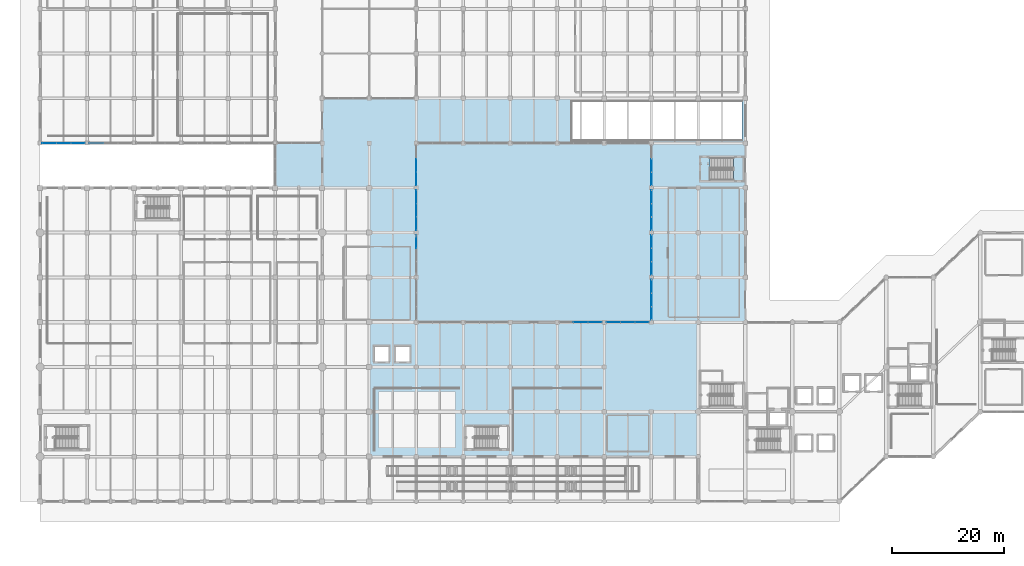
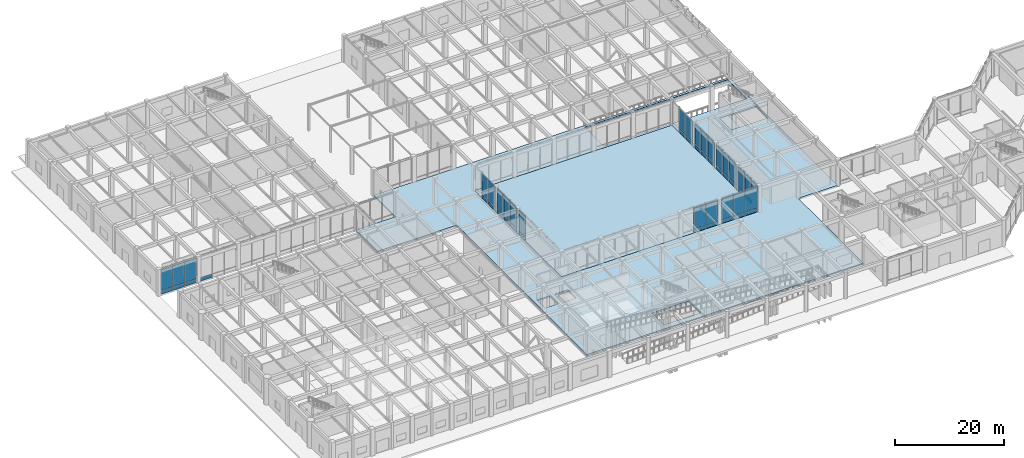
# One storey, part 44 of 76: 51 plates, 4 slabs, 12 elements without a shape of their own.
"""IFC4 building model written with IfcOpenShell, lengths in metres."""

from ifc_helpers import new_model, si_unit, direction, frame, origin, origin_2d, place, context, subcontext, project, spatial, polyline, rectangle, outline, extrude, material, layer, layer_set, type_object, element, aggregate, save


model = new_model("IFC4")

# Units and contexts
model_context = context("Model", 3, precision=1e-05, world=origin(), true_north=direction((0.0, 1.0)))
body_context = subcontext(model_context, "Body", "Model", "MODEL_VIEW")
ifc_project = project(units=[si_unit("LENGTHUNIT", "METRE"), si_unit("AREAUNIT", "SQUARE_METRE"), si_unit("VOLUMEUNIT", "CUBIC_METRE"), si_unit("PLANEANGLEUNIT", "RADIAN"), si_unit("MASSUNIT", "GRAM", prefix="KILO")], contexts=[model_context])

# Site, building, storey
site_placement = place(None, origin())
site = spatial("IfcSite", under=ifc_project, at=site_placement, CompositionType="ELEMENT")
building_placement = place(site_placement, origin())
building = spatial("IfcBuilding", under=site, at=building_placement, Name="Naruveol Harbour Congress Hotel", CompositionType="ELEMENT")
storey_placement = place(building_placement, origin())
storey = spatial("IfcBuildingStorey", under=building, at=storey_placement, Name="L00", CompositionType="ELEMENT", Elevation=0.0)

# Curtain wall, plate
ifc_material_1 = material(Name="Low-E Curtain Wall System", Category="glass")
ifc_layer_1 = layer(ifc_material_1, 0.179931640625)
ifc_layer_set_1 = layer_set([ifc_layer_1], Name="Low-E Curtain Wall System")
curtain_wall_type_1 = type_object("IfcCurtainWallType", Name="UNITISED CURTAIN WALL CW-V3S-12 7650X5700", PredefinedType="USERDEFINED", material=ifc_layer_set_1)
curtain_wall_1_placement = place(storey_placement, origin())
curtain_wall_1 = element("IfcCurtainWall", 1, at=curtain_wall_1_placement, inside=storey, type_object=curtain_wall_type_1, Name="Unitised curtain wall CW-V3S-12 L00", ObjectType="UNITISED GLAZING", PredefinedType="USERDEFINED")
ifc_material_2 = material(Name="Anodised Aluminium Spandrel", Category="aluminium")
ifc_layer_2 = layer(ifc_material_2, 0.054931640625)
ifc_layer_set_2 = layer_set([ifc_layer_2], Name="Anodised Aluminium Spandrel")
plate_type_1 = type_object("IfcPlateType", Name="INSULATED CERAMIC SPANDREL PANEL 55", PredefinedType="CURTAIN_PANEL", material=ifc_layer_set_2)
plate_1_placement = place(storey_placement, frame((10.050048828125, 63.989990234375, 0.0400390625), z_axis=(0.0, 0.0, 1.0), x_axis=(-1.0, 0.0, 0.0)))
plate_1 = element("IfcPlate", 2, at=plate_1_placement, type_object=plate_type_1, Name="Curtain wall spandrel panel CW-L00-0016-PS2", PredefinedType="CURTAIN_PANEL", context=body_context, shape_type="SweptSolid", body=[
    extrude(rectangle(XDim=2.469970703125, YDim=0.054931640625, at=origin_2d()), origin(), (0.0, 0.0, 1.0), 0.77001953125),
])
aggregate(curtain_wall_1, [plate_1])

# Curtain wall, plates
curtain_wall_2_placement = place(storey_placement, origin())
curtain_wall_2 = element("IfcCurtainWall", 3, at=curtain_wall_2_placement, inside=storey, type_object=curtain_wall_type_1, Name="Unitised curtain wall CW-V3S-12 L00", ObjectType="UNITISED GLAZING", PredefinedType="USERDEFINED")
plate_2_placement = place(storey_placement, frame((6.75, 63.989990234375, 0.0400390625), z_axis=(0.0, 0.0, 1.0), x_axis=(-1.0, 0.0, 0.0)))
plate_2 = element("IfcPlate", 4, at=plate_2_placement, type_object=plate_type_1, Name="Curtain wall spandrel panel CW-L00-0017-PS0", PredefinedType="CURTAIN_PANEL", context=body_context, shape_type="SweptSolid", body=[
    extrude(rectangle(XDim=2.469970703125, YDim=0.054931640625, at=origin_2d()), origin(), (0.0, 0.0, 1.0), 0.77001953125),
])
plate_3_placement = place(storey_placement, frame((4.199951171875, 63.989990234375, 0.0400390625), z_axis=(0.0, 0.0, 1.0), x_axis=(-1.0, 0.0, 0.0)))
plate_3 = element("IfcPlate", 5, at=plate_3_placement, type_object=plate_type_1, Name="Curtain wall spandrel panel CW-L00-0017-PS1", PredefinedType="CURTAIN_PANEL", context=body_context, shape_type="SweptSolid", body=[
    extrude(rectangle(XDim=2.469970703125, YDim=0.054931640625, at=origin_2d()), origin(), (0.0, 0.0, 1.0), 0.77001953125),
])
plate_4_placement = place(storey_placement, frame((1.64990234375, 63.989990234375, 0.0400390625), z_axis=(0.0, 0.0, 1.0), x_axis=(-1.0, 0.0, 0.0)))
plate_4 = element("IfcPlate", 6, at=plate_4_placement, type_object=plate_type_1, Name="Curtain wall spandrel panel CW-L00-0017-PS2", PredefinedType="CURTAIN_PANEL", context=body_context, shape_type="SweptSolid", body=[
    extrude(rectangle(XDim=2.469970703125, YDim=0.054931640625, at=origin_2d()), origin(), (0.0, 0.0, 1.0), 0.77001953125),
])

ifc_material_3 = material(Name="Low-E Curtain Wall System", Category="glass")
ifc_layer_3 = layer(ifc_material_3, 0.179931640625)
ifc_layer_set_3 = layer_set([ifc_layer_3], Name="Low-E Curtain Wall System")
curtain_wall_type_2 = type_object("IfcCurtainWallType", Name="UNITISED CURTAIN WALL CW-CTS-27 7600X5700", PredefinedType="USERDEFINED", material=ifc_layer_set_3)
curtain_wall_3_placement = place(storey_placement, origin())
curtain_wall_3 = element("IfcCurtainWall", 7, at=curtain_wall_3_placement, inside=storey, type_object=curtain_wall_type_2, Name="Unitised curtain wall CW-CTS-27 L00", ObjectType="UNITISED GLAZING", PredefinedType="USERDEFINED")
plate_5_placement = place(storey_placement, frame((96.60009765625, 32.010009765625, 0.0400390625), z_axis=(0.0, 0.0, 1.0), x_axis=(1.0, 0.0, 0.0)))
plate_5 = element("IfcPlate", 8, at=plate_5_placement, type_object=plate_type_1, Name="Curtain wall spandrel panel CW-L00-0060-PS1", PredefinedType="CURTAIN_PANEL", context=body_context, shape_type="SweptSolid", body=[
    extrude(rectangle(XDim=2.452880859375, YDim=0.054931640625, at=origin_2d()), origin(), (0.0, 0.0, 1.0), 0.77001953125),
])
plate_6_placement = place(storey_placement, frame((99.13330078125, 32.010009765625, 0.0400390625), z_axis=(0.0, 0.0, 1.0), x_axis=(1.0, 0.0, 0.0)))
plate_6 = element("IfcPlate", 9, at=plate_6_placement, type_object=plate_type_1, Name="Curtain wall spandrel panel CW-L00-0060-PS2", PredefinedType="CURTAIN_PANEL", context=body_context, shape_type="SweptSolid", body=[
    extrude(rectangle(XDim=2.452880859375, YDim=0.054931640625, at=origin_2d()), origin(), (0.0, 0.0, 1.0), 0.77001953125),
])

curtain_wall_4_placement = place(storey_placement, origin())
curtain_wall_4 = element("IfcCurtainWall", 10, at=curtain_wall_4_placement, inside=storey, type_object=curtain_wall_type_2, Name="Unitised curtain wall CW-CTS-27 L00", ObjectType="UNITISED GLAZING", PredefinedType="USERDEFINED")
plate_7_placement = place(storey_placement, frame((102.466796875, 32.010009765625, 0.0400390625), z_axis=(0.0, 0.0, 1.0), x_axis=(1.0, 0.0, 0.0)))
plate_7 = element("IfcPlate", 11, at=plate_7_placement, type_object=plate_type_1, Name="Curtain wall spandrel panel CW-L00-0062-PS0", PredefinedType="CURTAIN_PANEL", context=body_context, shape_type="SweptSolid", body=[
    extrude(rectangle(XDim=2.452880859375, YDim=0.054931640625, at=origin_2d()), origin(), (0.0, 0.0, 1.0), 0.77001953125),
])
plate_8_placement = place(storey_placement, frame((105.0, 32.010009765625, 0.0400390625), z_axis=(0.0, 0.0, 1.0), x_axis=(1.0, 0.0, 0.0)))
plate_8 = element("IfcPlate", 12, at=plate_8_placement, type_object=plate_type_1, Name="Curtain wall spandrel panel CW-L00-0062-PS1", PredefinedType="CURTAIN_PANEL", context=body_context, shape_type="SweptSolid", body=[
    extrude(rectangle(XDim=2.452880859375, YDim=0.054931640625, at=origin_2d()), origin(), (0.0, 0.0, 1.0), 0.77001953125),
])
plate_9_placement = place(storey_placement, frame((107.533203125, 32.010009765625, 0.0400390625), z_axis=(0.0, 0.0, 1.0), x_axis=(1.0, 0.0, 0.0)))
plate_9 = element("IfcPlate", 13, at=plate_9_placement, type_object=plate_type_1, Name="Curtain wall spandrel panel CW-L00-0062-PS2", PredefinedType="CURTAIN_PANEL", context=body_context, shape_type="SweptSolid", body=[
    extrude(rectangle(XDim=2.452880859375, YDim=0.054931640625, at=origin_2d()), origin(), (0.0, 0.0, 1.0), 0.77001953125),
])

ifc_material_4 = material(Name="Low-E Curtain Wall System", Category="glass")
ifc_layer_4 = layer(ifc_material_4, 0.179931640625)
ifc_layer_set_4 = layer_set([ifc_layer_4], Name="Low-E Curtain Wall System")
curtain_wall_type_3 = type_object("IfcCurtainWallType", Name="UNITISED CURTAIN WALL CW-CTE-29 7200X5700", PredefinedType="USERDEFINED", material=ifc_layer_set_4)
curtain_wall_5_placement = place(storey_placement, origin())
curtain_wall_5 = element("IfcCurtainWall", 14, at=curtain_wall_5_placement, inside=storey, type_object=curtain_wall_type_3, Name="Unitised curtain wall CW-CTE-29 L00", ObjectType="UNITISED GLAZING", PredefinedType="USERDEFINED")
plate_10_placement = place(storey_placement, frame((109.2099609375, 38.39990234375, 0.0400390625), z_axis=(0.0, 0.0, 1.0), x_axis=(0.0, -1.0, 0.0)))
plate_10 = element("IfcPlate", 15, at=plate_10_placement, type_object=plate_type_1, Name="Curtain wall spandrel panel CW-L00-0064-PS0", PredefinedType="CURTAIN_PANEL", context=body_context, shape_type="SweptSolid", body=[
    extrude(rectangle(XDim=2.320068359375, YDim=0.054931640625, at=origin_2d()), origin(), (0.0, 0.0, 1.0), 0.77001953125),
])
plate_11_placement = place(storey_placement, frame((109.2099609375, 36.0, 0.0400390625), z_axis=(0.0, 0.0, 1.0), x_axis=(0.0, -1.0, 0.0)))
plate_11 = element("IfcPlate", 16, at=plate_11_placement, type_object=plate_type_1, Name="Curtain wall spandrel panel CW-L00-0064-PS1", PredefinedType="CURTAIN_PANEL", context=body_context, shape_type="SweptSolid", body=[
    extrude(rectangle(XDim=2.320068359375, YDim=0.054931640625, at=origin_2d()), origin(), (0.0, 0.0, 1.0), 0.77001953125),
])
plate_12_placement = place(storey_placement, frame((109.2099609375, 33.60009765625, 0.0400390625), z_axis=(0.0, 0.0, 1.0), x_axis=(0.0, -1.0, 0.0)))
plate_12 = element("IfcPlate", 17, at=plate_12_placement, type_object=plate_type_1, Name="Curtain wall spandrel panel CW-L00-0064-PS2", PredefinedType="CURTAIN_PANEL", context=body_context, shape_type="SweptSolid", body=[
    extrude(rectangle(XDim=2.320068359375, YDim=0.054931640625, at=origin_2d()), origin(), (0.0, 0.0, 1.0), 0.77001953125),
])

# Curtain wall, plate
ifc_material_5 = material(Name="Low-E Curtain Wall System", Category="glass")
ifc_layer_5 = layer(ifc_material_5, 0.179931640625)
ifc_layer_set_5 = layer_set([ifc_layer_5], Name="Low-E Curtain Wall System")
curtain_wall_type_4 = type_object("IfcCurtainWallType", Name="UNITISED CURTAIN WALL CW-CTW-28 7200X5700", PredefinedType="USERDEFINED", material=ifc_layer_set_5)
curtain_wall_6_placement = place(storey_placement, origin())
curtain_wall_6 = element("IfcCurtainWall", 18, at=curtain_wall_6_placement, inside=storey, type_object=curtain_wall_type_4, Name="Unitised curtain wall CW-CTW-28 L00", ObjectType="UNITISED GLAZING", PredefinedType="USERDEFINED")
plate_13_placement = place(storey_placement, frame((67.18994140625, 46.39990234375, 0.0400390625), z_axis=(0.0, 0.0, 1.0), x_axis=(0.0, 1.0, 0.0)))
plate_13 = element("IfcPlate", 19, at=plate_13_placement, type_object=plate_type_1, Name="Curtain wall spandrel panel CW-L00-0065-PS2", PredefinedType="CURTAIN_PANEL", context=body_context, shape_type="SweptSolid", body=[
    extrude(rectangle(XDim=2.320068359375, YDim=0.054931640625, at=origin_2d()), origin(), (0.0, 0.0, 1.0), 0.77001953125),
])

# Curtain wall, plates
curtain_wall_7_placement = place(storey_placement, origin())
curtain_wall_7 = element("IfcCurtainWall", 20, at=curtain_wall_7_placement, inside=storey, type_object=curtain_wall_type_3, Name="Unitised curtain wall CW-CTE-29 L00", ObjectType="UNITISED GLAZING", PredefinedType="USERDEFINED")
plate_14_placement = place(storey_placement, frame((109.2099609375, 46.39990234375, 0.0400390625), z_axis=(0.0, 0.0, 1.0), x_axis=(0.0, -1.0, 0.0)))
plate_14 = element("IfcPlate", 21, at=plate_14_placement, type_object=plate_type_1, Name="Curtain wall spandrel panel CW-L00-0066-PS0", PredefinedType="CURTAIN_PANEL", context=body_context, shape_type="SweptSolid", body=[
    extrude(rectangle(XDim=2.320068359375, YDim=0.054931640625, at=origin_2d()), origin(), (0.0, 0.0, 1.0), 0.77001953125),
])
plate_15_placement = place(storey_placement, frame((109.2099609375, 44.0, 0.0400390625), z_axis=(0.0, 0.0, 1.0), x_axis=(0.0, -1.0, 0.0)))
plate_15 = element("IfcPlate", 22, at=plate_15_placement, type_object=plate_type_1, Name="Curtain wall spandrel panel CW-L00-0066-PS1", PredefinedType="CURTAIN_PANEL", context=body_context, shape_type="SweptSolid", body=[
    extrude(rectangle(XDim=2.320068359375, YDim=0.054931640625, at=origin_2d()), origin(), (0.0, 0.0, 1.0), 0.77001953125),
])
plate_16_placement = place(storey_placement, frame((109.2099609375, 41.60009765625, 0.0400390625), z_axis=(0.0, 0.0, 1.0), x_axis=(0.0, -1.0, 0.0)))
plate_16 = element("IfcPlate", 23, at=plate_16_placement, type_object=plate_type_1, Name="Curtain wall spandrel panel CW-L00-0066-PS2", PredefinedType="CURTAIN_PANEL", context=body_context, shape_type="SweptSolid", body=[
    extrude(rectangle(XDim=2.320068359375, YDim=0.054931640625, at=origin_2d()), origin(), (0.0, 0.0, 1.0), 0.77001953125),
])

curtain_wall_8_placement = place(storey_placement, origin())
curtain_wall_8 = element("IfcCurtainWall", 24, at=curtain_wall_8_placement, inside=storey, type_object=curtain_wall_type_4, Name="Unitised curtain wall CW-CTW-28 L00", ObjectType="UNITISED GLAZING", PredefinedType="USERDEFINED")
plate_17_placement = place(storey_placement, frame((67.18994140625, 49.60009765625, 0.0400390625), z_axis=(0.0, 0.0, 1.0), x_axis=(0.0, 1.0, 0.0)))
plate_17 = element("IfcPlate", 25, at=plate_17_placement, type_object=plate_type_1, Name="Curtain wall spandrel panel CW-L00-0067-PS0", PredefinedType="CURTAIN_PANEL", context=body_context, shape_type="SweptSolid", body=[
    extrude(rectangle(XDim=2.320068359375, YDim=0.054931640625, at=origin_2d()), origin(), (0.0, 0.0, 1.0), 0.77001953125),
])
plate_18_placement = place(storey_placement, frame((67.18994140625, 52.0, 0.0400390625), z_axis=(0.0, 0.0, 1.0), x_axis=(0.0, 1.0, 0.0)))
plate_18 = element("IfcPlate", 26, at=plate_18_placement, type_object=plate_type_1, Name="Curtain wall spandrel panel CW-L00-0067-PS1", PredefinedType="CURTAIN_PANEL", context=body_context, shape_type="SweptSolid", body=[
    extrude(rectangle(XDim=2.320068359375, YDim=0.054931640625, at=origin_2d()), origin(), (0.0, 0.0, 1.0), 0.77001953125),
])
plate_19_placement = place(storey_placement, frame((67.18994140625, 54.39990234375, 0.0400390625), z_axis=(0.0, 0.0, 1.0), x_axis=(0.0, 1.0, 0.0)))
plate_19 = element("IfcPlate", 27, at=plate_19_placement, type_object=plate_type_1, Name="Curtain wall spandrel panel CW-L00-0067-PS2", PredefinedType="CURTAIN_PANEL", context=body_context, shape_type="SweptSolid", body=[
    extrude(rectangle(XDim=2.320068359375, YDim=0.054931640625, at=origin_2d()), origin(), (0.0, 0.0, 1.0), 0.77001953125),
])

curtain_wall_9_placement = place(storey_placement, origin())
curtain_wall_9 = element("IfcCurtainWall", 28, at=curtain_wall_9_placement, inside=storey, type_object=curtain_wall_type_3, Name="Unitised curtain wall CW-CTE-29 L00", ObjectType="UNITISED GLAZING", PredefinedType="USERDEFINED")
plate_20_placement = place(storey_placement, frame((109.2099609375, 54.39990234375, 0.0400390625), z_axis=(0.0, 0.0, 1.0), x_axis=(0.0, -1.0, 0.0)))
plate_20 = element("IfcPlate", 29, at=plate_20_placement, type_object=plate_type_1, Name="Curtain wall spandrel panel CW-L00-0068-PS0", PredefinedType="CURTAIN_PANEL", context=body_context, shape_type="SweptSolid", body=[
    extrude(rectangle(XDim=2.320068359375, YDim=0.054931640625, at=origin_2d()), origin(), (0.0, 0.0, 1.0), 0.77001953125),
])
plate_21_placement = place(storey_placement, frame((109.2099609375, 52.0, 0.0400390625), z_axis=(0.0, 0.0, 1.0), x_axis=(0.0, -1.0, 0.0)))
plate_21 = element("IfcPlate", 30, at=plate_21_placement, type_object=plate_type_1, Name="Curtain wall spandrel panel CW-L00-0068-PS1", PredefinedType="CURTAIN_PANEL", context=body_context, shape_type="SweptSolid", body=[
    extrude(rectangle(XDim=2.320068359375, YDim=0.054931640625, at=origin_2d()), origin(), (0.0, 0.0, 1.0), 0.77001953125),
])
plate_22_placement = place(storey_placement, frame((109.2099609375, 49.60009765625, 0.0400390625), z_axis=(0.0, 0.0, 1.0), x_axis=(0.0, -1.0, 0.0)))
plate_22 = element("IfcPlate", 31, at=plate_22_placement, type_object=plate_type_1, Name="Curtain wall spandrel panel CW-L00-0068-PS2", PredefinedType="CURTAIN_PANEL", context=body_context, shape_type="SweptSolid", body=[
    extrude(rectangle(XDim=2.320068359375, YDim=0.054931640625, at=origin_2d()), origin(), (0.0, 0.0, 1.0), 0.77001953125),
])

curtain_wall_10_placement = place(storey_placement, origin())
curtain_wall_10 = element("IfcCurtainWall", 32, at=curtain_wall_10_placement, inside=storey, type_object=curtain_wall_type_4, Name="Unitised curtain wall CW-CTW-28 L00", ObjectType="UNITISED GLAZING", PredefinedType="USERDEFINED")
plate_23_placement = place(storey_placement, frame((67.18994140625, 57.60009765625, 0.0400390625), z_axis=(0.0, 0.0, 1.0), x_axis=(0.0, 1.0, 0.0)))
plate_23 = element("IfcPlate", 33, at=plate_23_placement, type_object=plate_type_1, Name="Curtain wall spandrel panel CW-L00-0069-PS0", PredefinedType="CURTAIN_PANEL", context=body_context, shape_type="SweptSolid", body=[
    extrude(rectangle(XDim=2.320068359375, YDim=0.054931640625, at=origin_2d()), origin(), (0.0, 0.0, 1.0), 0.77001953125),
])
plate_24_placement = place(storey_placement, frame((67.18994140625, 60.0, 0.0400390625), z_axis=(0.0, 0.0, 1.0), x_axis=(0.0, 1.0, 0.0)))
plate_24 = element("IfcPlate", 34, at=plate_24_placement, type_object=plate_type_1, Name="Curtain wall spandrel panel CW-L00-0069-PS1", PredefinedType="CURTAIN_PANEL", context=body_context, shape_type="SweptSolid", body=[
    extrude(rectangle(XDim=2.320068359375, YDim=0.054931640625, at=origin_2d()), origin(), (0.0, 0.0, 1.0), 0.77001953125),
])

curtain_wall_11_placement = place(storey_placement, origin())
curtain_wall_11 = element("IfcCurtainWall", 35, at=curtain_wall_11_placement, inside=storey, type_object=curtain_wall_type_3, Name="Unitised curtain wall CW-CTE-29 L00", ObjectType="UNITISED GLAZING", PredefinedType="USERDEFINED")
plate_25_placement = place(storey_placement, frame((109.2099609375, 60.0, 0.0400390625), z_axis=(0.0, 0.0, 1.0), x_axis=(0.0, -1.0, 0.0)))
plate_25 = element("IfcPlate", 36, at=plate_25_placement, type_object=plate_type_1, Name="Curtain wall spandrel panel CW-L00-0070-PS1", PredefinedType="CURTAIN_PANEL", context=body_context, shape_type="SweptSolid", body=[
    extrude(rectangle(XDim=2.320068359375, YDim=0.054931640625, at=origin_2d()), origin(), (0.0, 0.0, 1.0), 0.77001953125),
])
plate_26_placement = place(storey_placement, frame((109.2099609375, 57.60009765625, 0.0400390625), z_axis=(0.0, 0.0, 1.0), x_axis=(0.0, -1.0, 0.0)))
plate_26 = element("IfcPlate", 37, at=plate_26_placement, type_object=plate_type_1, Name="Curtain wall spandrel panel CW-L00-0070-PS2", PredefinedType="CURTAIN_PANEL", context=body_context, shape_type="SweptSolid", body=[
    extrude(rectangle(XDim=2.320068359375, YDim=0.054931640625, at=origin_2d()), origin(), (0.0, 0.0, 1.0), 0.77001953125),
])

# Plate
ifc_material_6 = material(Name="Low-E Insulated Glass", Category="glass")
ifc_layer_6 = layer(ifc_material_6, 0.0419921875)
ifc_layer_set_6 = layer_set([ifc_layer_6], Name="Low-E Insulated Glass")
plate_type_2 = type_object("IfcPlateType", Name="LOW-E TRIPLE GLAZED CURTAIN PANEL 42", PredefinedType="CURTAIN_PANEL", material=ifc_layer_set_6)
plate_27_placement = place(storey_placement, frame((6.75, 63.989990234375, 0.89013671875), z_axis=(0.0, 0.0, 1.0), x_axis=(-1.0, 0.0, 0.0)))
plate_27 = element("IfcPlate", 38, at=plate_27_placement, type_object=plate_type_2, Name="Curtain wall vision panel CW-L00-0017-PG0", PredefinedType="CURTAIN_PANEL", context=body_context, shape_type="SweptSolid", body=[
    extrude(rectangle(XDim=2.469970703125, YDim=0.0419921875, at=origin_2d()), origin(), (0.0, 0.0, 1.0), 4.68994140625),
])

plate_28_placement = place(storey_placement, frame((4.199951171875, 63.989990234375, 0.89013671875), z_axis=(0.0, 0.0, 1.0), x_axis=(-1.0, 0.0, 0.0)))
plate_28 = element("IfcPlate", 39, at=plate_28_placement, type_object=plate_type_2, Name="Curtain wall vision panel CW-L00-0017-PG1", PredefinedType="CURTAIN_PANEL", context=body_context, shape_type="SweptSolid", body=[
    extrude(rectangle(XDim=2.469970703125, YDim=0.0419921875, at=origin_2d()), origin(), (0.0, 0.0, 1.0), 4.68994140625),
])

plate_29_placement = place(storey_placement, frame((1.64990234375, 63.989990234375, 0.89013671875), z_axis=(0.0, 0.0, 1.0), x_axis=(-1.0, 0.0, 0.0)))
plate_29 = element("IfcPlate", 40, at=plate_29_placement, type_object=plate_type_2, Name="Curtain wall vision panel CW-L00-0017-PG2", PredefinedType="CURTAIN_PANEL", context=body_context, shape_type="SweptSolid", body=[
    extrude(rectangle(XDim=2.469970703125, YDim=0.0419921875, at=origin_2d()), origin(), (0.0, 0.0, 1.0), 4.68994140625),
])

aggregate(curtain_wall_2, [plate_2, plate_27, plate_3, plate_28, plate_4, plate_29])

plate_30_placement = place(storey_placement, frame((96.60009765625, 32.010009765625, 0.89013671875), z_axis=(0.0, 0.0, 1.0), x_axis=(1.0, 0.0, 0.0)))
plate_30 = element("IfcPlate", 41, at=plate_30_placement, type_object=plate_type_2, Name="Curtain wall vision panel CW-L00-0060-PG1", PredefinedType="CURTAIN_PANEL", context=body_context, shape_type="SweptSolid", body=[
    extrude(rectangle(XDim=2.452880859375, YDim=0.0419921875, at=origin_2d()), origin(), (0.0, 0.0, 1.0), 4.68994140625),
])

plate_31_placement = place(storey_placement, frame((99.13330078125, 32.010009765625, 0.89013671875), z_axis=(0.0, 0.0, 1.0), x_axis=(1.0, 0.0, 0.0)))
plate_31 = element("IfcPlate", 42, at=plate_31_placement, type_object=plate_type_2, Name="Curtain wall vision panel CW-L00-0060-PG2", PredefinedType="CURTAIN_PANEL", context=body_context, shape_type="SweptSolid", body=[
    extrude(rectangle(XDim=2.452880859375, YDim=0.0419921875, at=origin_2d()), origin(), (0.0, 0.0, 1.0), 4.68994140625),
])

aggregate(curtain_wall_3, [plate_5, plate_30, plate_6, plate_31])

plate_32_placement = place(storey_placement, frame((102.466796875, 32.010009765625, 0.89013671875), z_axis=(0.0, 0.0, 1.0), x_axis=(1.0, 0.0, 0.0)))
plate_32 = element("IfcPlate", 43, at=plate_32_placement, type_object=plate_type_2, Name="Curtain wall vision panel CW-L00-0062-PG0", PredefinedType="CURTAIN_PANEL", context=body_context, shape_type="SweptSolid", body=[
    extrude(rectangle(XDim=2.452880859375, YDim=0.0419921875, at=origin_2d()), origin(), (0.0, 0.0, 1.0), 4.68994140625),
])

plate_33_placement = place(storey_placement, frame((105.0, 32.010009765625, 0.89013671875), z_axis=(0.0, 0.0, 1.0), x_axis=(1.0, 0.0, 0.0)))
plate_33 = element("IfcPlate", 44, at=plate_33_placement, type_object=plate_type_2, Name="Curtain wall vision panel CW-L00-0062-PG1", PredefinedType="CURTAIN_PANEL", context=body_context, shape_type="SweptSolid", body=[
    extrude(rectangle(XDim=2.452880859375, YDim=0.0419921875, at=origin_2d()), origin(), (0.0, 0.0, 1.0), 4.68994140625),
])

plate_34_placement = place(storey_placement, frame((107.533203125, 32.010009765625, 0.89013671875), z_axis=(0.0, 0.0, 1.0), x_axis=(1.0, 0.0, 0.0)))
plate_34 = element("IfcPlate", 45, at=plate_34_placement, type_object=plate_type_2, Name="Curtain wall vision panel CW-L00-0062-PG2", PredefinedType="CURTAIN_PANEL", context=body_context, shape_type="SweptSolid", body=[
    extrude(rectangle(XDim=2.452880859375, YDim=0.0419921875, at=origin_2d()), origin(), (0.0, 0.0, 1.0), 4.68994140625),
])

aggregate(curtain_wall_4, [plate_7, plate_32, plate_8, plate_33, plate_9, plate_34])

plate_35_placement = place(storey_placement, frame((109.2099609375, 38.39990234375, 0.89013671875), z_axis=(0.0, 0.0, 1.0), x_axis=(0.0, -1.0, 0.0)))
plate_35 = element("IfcPlate", 46, at=plate_35_placement, type_object=plate_type_2, Name="Curtain wall vision panel CW-L00-0064-PG0", PredefinedType="CURTAIN_PANEL", context=body_context, shape_type="SweptSolid", body=[
    extrude(rectangle(XDim=2.320068359375, YDim=0.0419921875, at=origin_2d()), origin(), (0.0, 0.0, 1.0), 4.68994140625),
])

plate_36_placement = place(storey_placement, frame((109.2099609375, 36.0, 0.89013671875), z_axis=(0.0, 0.0, 1.0), x_axis=(0.0, -1.0, 0.0)))
plate_36 = element("IfcPlate", 47, at=plate_36_placement, type_object=plate_type_2, Name="Curtain wall vision panel CW-L00-0064-PG1", PredefinedType="CURTAIN_PANEL", context=body_context, shape_type="SweptSolid", body=[
    extrude(rectangle(XDim=2.320068359375, YDim=0.0419921875, at=origin_2d()), origin(), (0.0, 0.0, 1.0), 4.68994140625),
])

plate_37_placement = place(storey_placement, frame((109.2099609375, 33.60009765625, 0.89013671875), z_axis=(0.0, 0.0, 1.0), x_axis=(0.0, -1.0, 0.0)))
plate_37 = element("IfcPlate", 48, at=plate_37_placement, type_object=plate_type_2, Name="Curtain wall vision panel CW-L00-0064-PG2", PredefinedType="CURTAIN_PANEL", context=body_context, shape_type="SweptSolid", body=[
    extrude(rectangle(XDim=2.320068359375, YDim=0.0419921875, at=origin_2d()), origin(), (0.0, 0.0, 1.0), 4.68994140625),
])

aggregate(curtain_wall_5, [plate_10, plate_35, plate_11, plate_36, plate_12, plate_37])

plate_38_placement = place(storey_placement, frame((67.18994140625, 46.39990234375, 0.89013671875), z_axis=(0.0, 0.0, 1.0), x_axis=(0.0, 1.0, 0.0)))
plate_38 = element("IfcPlate", 49, at=plate_38_placement, type_object=plate_type_2, Name="Curtain wall vision panel CW-L00-0065-PG2", PredefinedType="CURTAIN_PANEL", context=body_context, shape_type="SweptSolid", body=[
    extrude(rectangle(XDim=2.320068359375, YDim=0.0419921875, at=origin_2d()), origin(), (0.0, 0.0, 1.0), 4.68994140625),
])

aggregate(curtain_wall_6, [plate_13, plate_38])

plate_39_placement = place(storey_placement, frame((109.2099609375, 46.39990234375, 0.89013671875), z_axis=(0.0, 0.0, 1.0), x_axis=(0.0, -1.0, 0.0)))
plate_39 = element("IfcPlate", 50, at=plate_39_placement, type_object=plate_type_2, Name="Curtain wall vision panel CW-L00-0066-PG0", PredefinedType="CURTAIN_PANEL", context=body_context, shape_type="SweptSolid", body=[
    extrude(rectangle(XDim=2.320068359375, YDim=0.0419921875, at=origin_2d()), origin(), (0.0, 0.0, 1.0), 4.68994140625),
])

plate_40_placement = place(storey_placement, frame((109.2099609375, 44.0, 0.89013671875), z_axis=(0.0, 0.0, 1.0), x_axis=(0.0, -1.0, 0.0)))
plate_40 = element("IfcPlate", 51, at=plate_40_placement, type_object=plate_type_2, Name="Curtain wall vision panel CW-L00-0066-PG1", PredefinedType="CURTAIN_PANEL", context=body_context, shape_type="SweptSolid", body=[
    extrude(rectangle(XDim=2.320068359375, YDim=0.0419921875, at=origin_2d()), origin(), (0.0, 0.0, 1.0), 4.68994140625),
])

plate_41_placement = place(storey_placement, frame((109.2099609375, 41.60009765625, 0.89013671875), z_axis=(0.0, 0.0, 1.0), x_axis=(0.0, -1.0, 0.0)))
plate_41 = element("IfcPlate", 52, at=plate_41_placement, type_object=plate_type_2, Name="Curtain wall vision panel CW-L00-0066-PG2", PredefinedType="CURTAIN_PANEL", context=body_context, shape_type="SweptSolid", body=[
    extrude(rectangle(XDim=2.320068359375, YDim=0.0419921875, at=origin_2d()), origin(), (0.0, 0.0, 1.0), 4.68994140625),
])

aggregate(curtain_wall_7, [plate_14, plate_39, plate_15, plate_40, plate_16, plate_41])

plate_42_placement = place(storey_placement, frame((67.18994140625, 49.60009765625, 0.89013671875), z_axis=(0.0, 0.0, 1.0), x_axis=(0.0, 1.0, 0.0)))
plate_42 = element("IfcPlate", 53, at=plate_42_placement, type_object=plate_type_2, Name="Curtain wall vision panel CW-L00-0067-PG0", PredefinedType="CURTAIN_PANEL", context=body_context, shape_type="SweptSolid", body=[
    extrude(rectangle(XDim=2.320068359375, YDim=0.0419921875, at=origin_2d()), origin(), (0.0, 0.0, 1.0), 4.68994140625),
])

plate_43_placement = place(storey_placement, frame((67.18994140625, 52.0, 0.89013671875), z_axis=(0.0, 0.0, 1.0), x_axis=(0.0, 1.0, 0.0)))
plate_43 = element("IfcPlate", 54, at=plate_43_placement, type_object=plate_type_2, Name="Curtain wall vision panel CW-L00-0067-PG1", PredefinedType="CURTAIN_PANEL", context=body_context, shape_type="SweptSolid", body=[
    extrude(rectangle(XDim=2.320068359375, YDim=0.0419921875, at=origin_2d()), origin(), (0.0, 0.0, 1.0), 4.68994140625),
])

plate_44_placement = place(storey_placement, frame((67.18994140625, 54.39990234375, 0.89013671875), z_axis=(0.0, 0.0, 1.0), x_axis=(0.0, 1.0, 0.0)))
plate_44 = element("IfcPlate", 55, at=plate_44_placement, type_object=plate_type_2, Name="Curtain wall vision panel CW-L00-0067-PG2", PredefinedType="CURTAIN_PANEL", context=body_context, shape_type="SweptSolid", body=[
    extrude(rectangle(XDim=2.320068359375, YDim=0.0419921875, at=origin_2d()), origin(), (0.0, 0.0, 1.0), 4.68994140625),
])

aggregate(curtain_wall_8, [plate_17, plate_42, plate_18, plate_43, plate_19, plate_44])

plate_45_placement = place(storey_placement, frame((109.2099609375, 54.39990234375, 0.89013671875), z_axis=(0.0, 0.0, 1.0), x_axis=(0.0, -1.0, 0.0)))
plate_45 = element("IfcPlate", 56, at=plate_45_placement, type_object=plate_type_2, Name="Curtain wall vision panel CW-L00-0068-PG0", PredefinedType="CURTAIN_PANEL", context=body_context, shape_type="SweptSolid", body=[
    extrude(rectangle(XDim=2.320068359375, YDim=0.0419921875, at=origin_2d()), origin(), (0.0, 0.0, 1.0), 4.68994140625),
])

plate_46_placement = place(storey_placement, frame((109.2099609375, 52.0, 0.89013671875), z_axis=(0.0, 0.0, 1.0), x_axis=(0.0, -1.0, 0.0)))
plate_46 = element("IfcPlate", 57, at=plate_46_placement, type_object=plate_type_2, Name="Curtain wall vision panel CW-L00-0068-PG1", PredefinedType="CURTAIN_PANEL", context=body_context, shape_type="SweptSolid", body=[
    extrude(rectangle(XDim=2.320068359375, YDim=0.0419921875, at=origin_2d()), origin(), (0.0, 0.0, 1.0), 4.68994140625),
])

plate_47_placement = place(storey_placement, frame((109.2099609375, 49.60009765625, 0.89013671875), z_axis=(0.0, 0.0, 1.0), x_axis=(0.0, -1.0, 0.0)))
plate_47 = element("IfcPlate", 58, at=plate_47_placement, type_object=plate_type_2, Name="Curtain wall vision panel CW-L00-0068-PG2", PredefinedType="CURTAIN_PANEL", context=body_context, shape_type="SweptSolid", body=[
    extrude(rectangle(XDim=2.320068359375, YDim=0.0419921875, at=origin_2d()), origin(), (0.0, 0.0, 1.0), 4.68994140625),
])

aggregate(curtain_wall_9, [plate_20, plate_45, plate_21, plate_46, plate_22, plate_47])

plate_48_placement = place(storey_placement, frame((67.18994140625, 57.60009765625, 0.89013671875), z_axis=(0.0, 0.0, 1.0), x_axis=(0.0, 1.0, 0.0)))
plate_48 = element("IfcPlate", 59, at=plate_48_placement, type_object=plate_type_2, Name="Curtain wall vision panel CW-L00-0069-PG0", PredefinedType="CURTAIN_PANEL", context=body_context, shape_type="SweptSolid", body=[
    extrude(rectangle(XDim=2.320068359375, YDim=0.0419921875, at=origin_2d()), origin(), (0.0, 0.0, 1.0), 4.68994140625),
])

plate_49_placement = place(storey_placement, frame((67.18994140625, 60.0, 0.89013671875), z_axis=(0.0, 0.0, 1.0), x_axis=(0.0, 1.0, 0.0)))
plate_49 = element("IfcPlate", 60, at=plate_49_placement, type_object=plate_type_2, Name="Curtain wall vision panel CW-L00-0069-PG1", PredefinedType="CURTAIN_PANEL", context=body_context, shape_type="SweptSolid", body=[
    extrude(rectangle(XDim=2.320068359375, YDim=0.0419921875, at=origin_2d()), origin(), (0.0, 0.0, 1.0), 4.68994140625),
])

aggregate(curtain_wall_10, [plate_23, plate_48, plate_24, plate_49])

plate_50_placement = place(storey_placement, frame((109.2099609375, 60.0, 0.89013671875), z_axis=(0.0, 0.0, 1.0), x_axis=(0.0, -1.0, 0.0)))
plate_50 = element("IfcPlate", 61, at=plate_50_placement, type_object=plate_type_2, Name="Curtain wall vision panel CW-L00-0070-PG1", PredefinedType="CURTAIN_PANEL", context=body_context, shape_type="SweptSolid", body=[
    extrude(rectangle(XDim=2.320068359375, YDim=0.0419921875, at=origin_2d()), origin(), (0.0, 0.0, 1.0), 4.68994140625),
])

plate_51_placement = place(storey_placement, frame((109.2099609375, 57.60009765625, 0.89013671875), z_axis=(0.0, 0.0, 1.0), x_axis=(0.0, -1.0, 0.0)))
plate_51 = element("IfcPlate", 62, at=plate_51_placement, type_object=plate_type_2, Name="Curtain wall vision panel CW-L00-0070-PG2", PredefinedType="CURTAIN_PANEL", context=body_context, shape_type="SweptSolid", body=[
    extrude(rectangle(XDim=2.320068359375, YDim=0.0419921875, at=origin_2d()), origin(), (0.0, 0.0, 1.0), 4.68994140625),
])

aggregate(curtain_wall_11, [plate_25, plate_50, plate_26, plate_51])

# Slabs
ifc_material_7 = material(Name="Concrete C40/50", Category="concrete")
ifc_layer_7 = layer(ifc_material_7, 0.35009765625)
ifc_layer_set_7 = layer_set([ifc_layer_7], Name="Concrete C40/50")
slab_type_1 = type_object("IfcSlabType", Name="RC GROUND CONCOURSE SLAB 350", PredefinedType="FLOOR", material=ifc_layer_set_7)
slab_1_placement = place(storey_placement, frame((0.0, 0.0, -0.35009765625)))
element("IfcSlab", 63, at=slab_1_placement, inside=storey, type_object=slab_type_1, Name="Level L00 Courtyard foyer & brasserie slab", PredefinedType="FLOOR", context=body_context, shape_type="SweptSolid", body=[
    extrude(outline(polyline([(58.800048828125, 8.0), (117.60009765625, 8.0), (117.60009765625, 32.0), (126.0, 32.0), (126.0, 72.0), (50.39990234375, 72.0), (50.39990234375, 64.0), (42.0, 64.0), (42.0, 56.0), (58.800048828125, 56.0), (58.800048828125, 8.0)]), holes=[polyline([(67.199951171875, 32.0), (109.199951171875, 32.0), (109.199951171875, 64.0), (67.199951171875, 64.0), (67.199951171875, 32.0)]), polyline([(95.0, 64.5), (125.39990234375, 64.5), (125.39990234375, 71.5), (95.0, 71.5), (95.0, 64.5)]), polyline([(117.89990234375, 57.199951171875), (125.699951171875, 57.199951171875), (125.699951171875, 61.56005859375), (117.89990234375, 61.56005859375), (117.89990234375, 57.199951171875)]), polyline([(75.89990234375, 9.199951171875), (83.699951171875, 9.199951171875), (83.699951171875, 13.56005859375), (75.89990234375, 13.56005859375), (75.89990234375, 9.199951171875)]), polyline([(59.60009765625, 24.800048828125), (62.39990234375, 24.800048828125), (62.39990234375, 27.800048828125), (59.60009765625, 27.800048828125), (59.60009765625, 24.800048828125)]), polyline([(63.39990234375, 24.800048828125), (66.199951171875, 24.800048828125), (66.199951171875, 27.800048828125), (63.39990234375, 27.800048828125), (63.39990234375, 24.800048828125)])]), origin(), (0.0, 0.0, 1.0), 0.35009765625),
])
ifc_material_8 = material(Name="Concrete C40/50", Category="concrete")
ifc_layer_8 = layer(ifc_material_8, 0.39990234375)
ifc_layer_set_8 = layer_set([ifc_layer_8], Name="Concrete C40/50")
slab_type_2 = type_object("IfcSlabType", Name="RC PROMENADE PLINTH SLAB 400", PredefinedType="BASESLAB", material=ifc_layer_set_8)
slab_2_placement = place(storey_placement, frame((0.0, 0.0, -0.39990234375)))
element("IfcSlab", 64, at=slab_2_placement, inside=storey, type_object=slab_type_2, Name="Exterior Central Tidal Courtyard Paving", PredefinedType="BASESLAB", context=body_context, shape_type="SweptSolid", body=[
    extrude(outline(polyline([(67.199951171875, 32.0), (109.199951171875, 32.0), (109.199951171875, 64.0), (67.199951171875, 64.0), (67.199951171875, 32.0)])), origin(), (0.0, 0.0, 1.0), 0.39990234375),
])
ifc_material_9 = material(Name="Concrete C40/50", Category="concrete")
ifc_layer_9 = layer(ifc_material_9, 0.179931640625)
ifc_layer_set_9 = layer_set([ifc_layer_9], Name="Concrete C40/50")
slab_type_3 = type_object("IfcSlabType", Name="RC STAIR HALF LANDING SLAB 180", PredefinedType="LANDING", material=ifc_layer_set_9)
slab_3_placement = place(storey_placement, frame((0.0, 0.0, -0.179931640625)))
element("IfcSlab", 65, at=slab_3_placement, inside=storey, type_object=slab_type_3, Name="Stair ST9 L00 floor landing", PredefinedType="LANDING", context=body_context, shape_type="SweptSolid", body=[
    extrude(outline(polyline([(117.89990234375, 57.199951171875), (119.699951171875, 57.199951171875), (119.699951171875, 61.56005859375), (117.89990234375, 61.56005859375), (117.89990234375, 57.199951171875)])), origin(), (0.0, 0.0, 1.0), 0.179931640625),
])

# Stair, slab
ifc_material_10 = material(Name="Concrete C40/50", Category="concrete")
stair_type = type_object("IfcStairType", Name="RC DOG LEG ESCAPE STAIR 1800W H6000", PredefinedType="HALF_TURN_STAIR", material=ifc_material_10)
stair_placement = place(storey_placement, origin())
stair = element("IfcStair", 66, at=stair_placement, inside=storey, type_object=stair_type, Name="Courtyard North-East Exit Stair ST9 L00 to L01", PredefinedType="HALF_TURN_STAIR")
slab_4_placement = place(storey_placement, frame((0.0, 0.0, 2.820068359375)))
slab_4 = element("IfcSlab", 67, at=slab_4_placement, type_object=slab_type_3, Name="ST9 L00 half landing", PredefinedType="LANDING", context=body_context, shape_type="SweptSolid", body=[
    extrude(outline(polyline([(123.89990234375, 57.199951171875), (125.699951171875, 57.199951171875), (125.699951171875, 61.56005859375), (123.89990234375, 61.56005859375), (123.89990234375, 57.199951171875)])), origin(), (0.0, 0.0, 1.0), 0.179931640625),
])
aggregate(stair, [slab_4])

save(model, "model.ifc")
